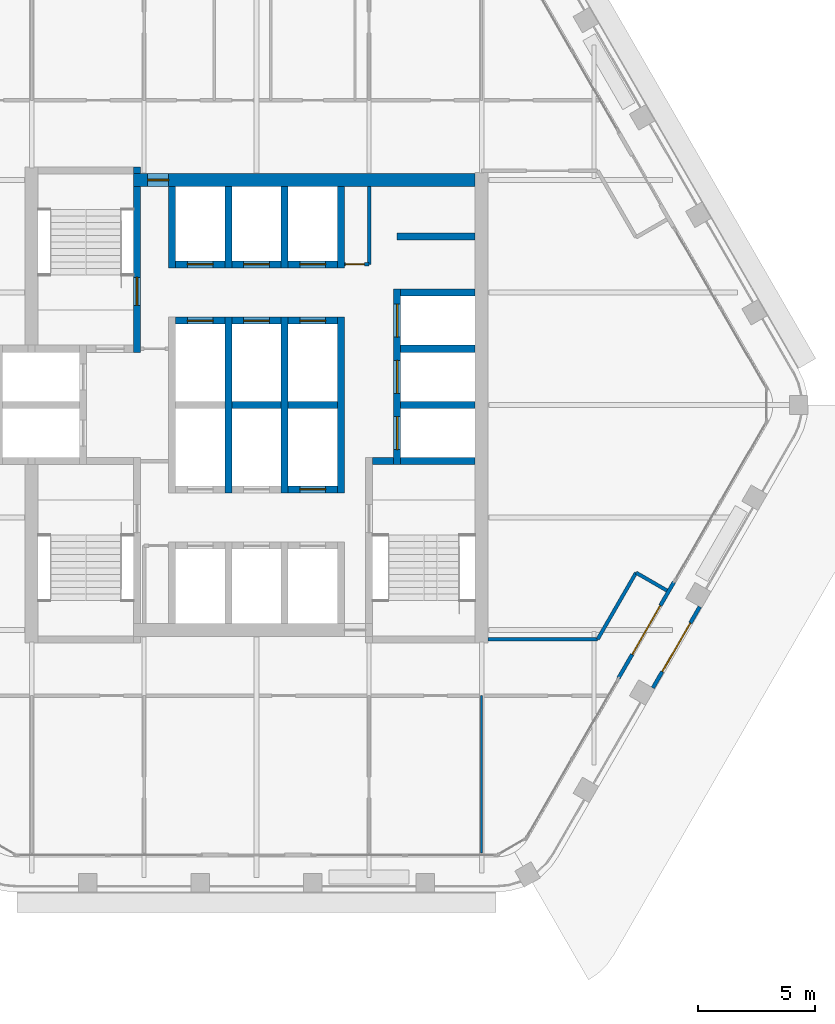
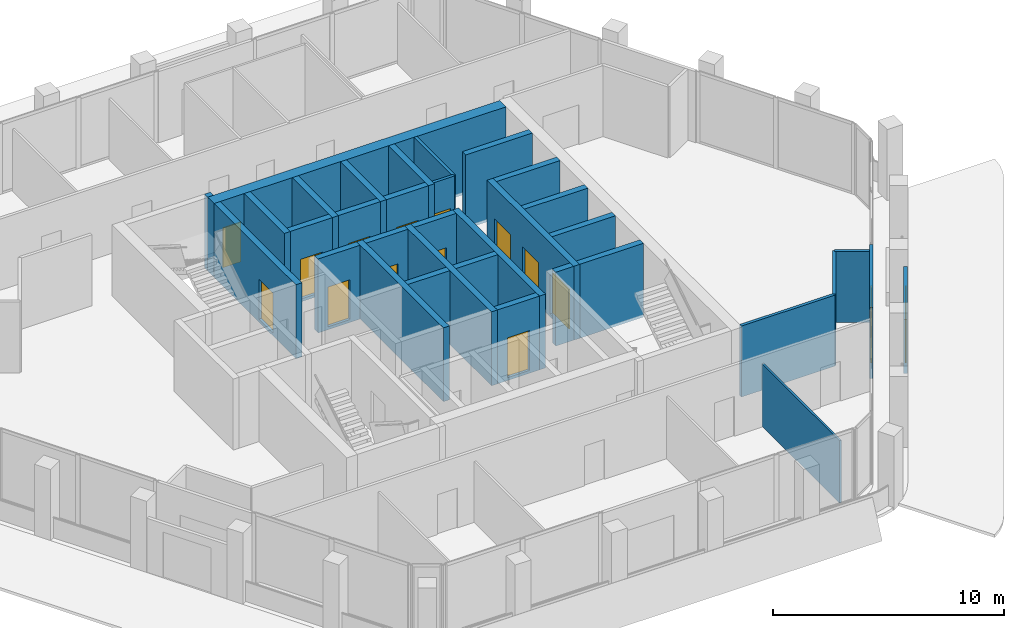
# One storey, part 9 of 14: 34 walls, 15 doors, 15 openings.
"""IFC4 building model written with IfcOpenShell, lengths in metres."""

from ifc_helpers import new_model, si_unit, direction, frame, frame_2d, origin, place, context, subcontext, project, spatial, rectangle, extrude, material, layer, layer_set, type_object, element, fill, save


model = new_model("IFC4")

# Units and contexts
model_context = context("Model", 3, precision=1e-05, world=origin(), true_north=direction((0.0, 1.0)))
body_context = subcontext(model_context, "Body", "Model", "MODEL_VIEW")
ifc_project = project(units=[si_unit("LENGTHUNIT", "METRE"), si_unit("AREAUNIT", "SQUARE_METRE"), si_unit("VOLUMEUNIT", "CUBIC_METRE"), si_unit("PLANEANGLEUNIT", "RADIAN"), si_unit("MASSUNIT", "GRAM", prefix="KILO")], contexts=[model_context])

# Site, building, storey
site_placement = place(None, origin())
site = spatial("IfcSite", under=ifc_project, at=site_placement, CompositionType="ELEMENT")
building_placement = place(site_placement, origin())
building = spatial("IfcBuilding", under=site, at=building_placement, Name="Kolab Exchange Tower", CompositionType="ELEMENT")
storey_placement = place(building_placement, frame((0.0, 0.0, 222.800048828125)))
storey = spatial("IfcBuildingStorey", under=building, at=storey_placement, Name="L48", CompositionType="ELEMENT", Elevation=222.800048828125)

# Wall, opening, door
ifc_material_1 = material(Name="Concrete C50/60", Category="concrete")
ifc_layer_1 = layer(ifc_material_1, 0.550048828125)
ifc_layer_set_1 = layer_set([ifc_layer_1], Name="Concrete C50/60")
wall_type_1 = type_object("IfcWallType", Name="CORE WALL 550 C50/60", PredefinedType="SHEAR", material=ifc_layer_set_1)
wall_1_placement = place(storey_placement, frame((-5.25, 9.60009765625, -0.150146484375), z_axis=(0.0, 0.0, 1.0), x_axis=(1.0, 0.0, 0.0)))
wall_1 = element("IfcWall", 1, at=wall_1_placement, inside=storey, type_object=wall_type_1, Name="wall/L48/core/031", PredefinedType="SHEAR", context=body_context, shape_type="SweptSolid", body=[
    extrude(rectangle(XDim=14.574951171875, YDim=0.550048828125, at=frame_2d((7.28759765625, 0.0))), origin(), (0.0, 0.0, 1.0), 3.900146484375),
])
opening_1_placement = place(wall_1_placement, frame((0.60009765625, 0.0, 0.14990234375)))
opening_1 = element("IfcOpeningElement", 2, at=opening_1_placement, cuts=wall_1, Name="Opening D6-295", PredefinedType="OPENING", context=body_context, shape_type="SweptSolid", body=[
    extrude(rectangle(XDim=0.89990234375, YDim=2.10009765625, at=frame_2d((0.449951171875, 1.050048828125))), frame((0.0, 0.28515625, 0.0), z_axis=(0.0, -1.0, 0.0), x_axis=(1.0, 0.0, 0.0)), (0.0, 0.0, 1.0), 0.570068359375),
])
ifc_material_2 = material(Name="Steel S235", Category="steel")
door_type_1 = type_object("IfcDoorType", Name="CORE DOOR 900 EI 120", OperationType="SINGLE_SWING_LEFT", PredefinedType="DOOR", material=ifc_material_2)
door_1_placement = place(opening_1_placement, frame((0.89990234375, 0.0, 0.0), z_axis=(0.0, 0.0, 1.0), x_axis=(-1.0, 0.0, 0.0)))
door_1 = element("IfcDoor", 3, at=door_1_placement, inside=storey, type_object=door_type_1, Name="Core lobby door", OperationType="SINGLE_SWING_RIGHT", OverallHeight=2.10009765625, OverallWidth=0.89990234375, PredefinedType="DOOR", context=body_context, shape_type="SweptSolid", body=[
    extrude(rectangle(XDim=0.89990234375, YDim=2.10009765625, at=frame_2d((0.449951171875, 1.050048828125))), frame((0.0, 0.02490234375, 0.0), z_axis=(0.0, -1.0, 0.0), x_axis=(1.0, 0.0, 0.0)), (0.0, 0.0, 1.0), 0.050048828125),
])
fill(opening_1, door_1)

ifc_material_3 = material(Name="Aluminium EN AW-6063 T6", Category="aluminium")
ifc_layer_2 = layer(ifc_material_3, 0.159912109375)
ifc_layer_set_2 = layer_set([ifc_layer_2], Name="Aluminium EN AW-6063 T6")
wall_type_2 = type_object("IfcWallType", Name="DOOR SURROUND WALL 160 ALUMINIUM FRAMED", PredefinedType="PARTITIONING", material=ifc_layer_set_2)
wall_2_placement = place(storey_placement, frame((17.816650390625, -7.5498046875, 0.0), z_axis=(0.0, 0.0, 1.0), x_axis=(-0.499978080042, -0.866038058908, 0.0)))
wall_2 = element("IfcWall", 4, at=wall_2_placement, inside=storey, type_object=wall_type_2, Name="Door surround wall", PredefinedType="PARTITIONING", context=body_context, shape_type="SweptSolid", body=[
    extrude(rectangle(XDim=4.739990234375, YDim=0.159912109375, at=frame_2d((2.3701171875, 0.0))), origin(), (0.0, 0.0, 1.0), 3.75),
])
opening_2_placement = place(wall_2_placement, frame((1.169921875, 0.0, 0.0)))
opening_2 = element("IfcOpeningElement", 5, at=opening_2_placement, cuts=wall_2, Name="Opening GD1-091", PredefinedType="OPENING", context=body_context, shape_type="SweptSolid", body=[
    extrude(rectangle(XDim=2.39990234375, YDim=2.39990234375, at=frame_2d((1.199951171875, 1.199951171875))), frame((0.0, 0.08984375, 0.0), z_axis=(0.0, -1.0, 0.0), x_axis=(1.0, 0.0, 0.0)), (0.0, 0.0, 1.0), 0.179931640625),
])
door_type_2 = type_object("IfcDoorType", Name="LOGGIA SLIDING GLASS DOOR 2400 X 2400", OperationType="DOUBLE_DOOR_SINGLE_SWING", PredefinedType="DOOR", material=ifc_material_3)
door_2_placement = place(opening_2_placement, origin())
door_2 = element("IfcDoor", 6, at=door_2_placement, inside=storey, type_object=door_type_2, Name="Loggia door", OperationType="DOUBLE_DOOR_SLIDING", OverallHeight=2.39990234375, OverallWidth=2.39990234375, PredefinedType="DOOR", context=body_context, shape_type="SweptSolid", body=[
    extrude(rectangle(XDim=2.39990234375, YDim=2.39990234375, at=frame_2d((1.199951171875, 1.199951171875))), frame((0.0, 0.02490234375, 0.0), z_axis=(0.0, -1.0, 0.0), x_axis=(1.0, 0.0, 0.0)), (0.0, 0.0, 1.0), 0.050048828125),
])
fill(opening_2, door_2)

wall_3_placement = place(storey_placement, frame((18.912353515625, -8.612060546875, 0.0), z_axis=(0.0, 0.0, 1.0), x_axis=(-0.500029202507, -0.866008543052, 0.0)))
wall_3 = element("IfcWall", 7, at=wall_3_placement, inside=storey, type_object=wall_type_2, Name="Door surround wall", PredefinedType="PARTITIONING", context=body_context, shape_type="SweptSolid", body=[
    extrude(rectangle(XDim=3.995849609375, YDim=0.159912109375, at=frame_2d((1.998046875, 0.0))), origin(), (0.0, 0.0, 1.0), 2.849853515625),
])
opening_3_placement = place(wall_3_placement, frame((0.798095703125, 0.0, 0.0)))
opening_3 = element("IfcOpeningElement", 8, at=opening_3_placement, cuts=wall_3, Name="Opening GD1-096", PredefinedType="OPENING", context=body_context, shape_type="SweptSolid", body=[
    extrude(rectangle(XDim=2.39990234375, YDim=2.39990234375, at=frame_2d((1.199951171875, 1.199951171875))), frame((0.0, 0.08984375, 0.0), z_axis=(0.0, -1.0, 0.0), x_axis=(1.0, 0.0, 0.0)), (0.0, 0.0, 1.0), 0.179931640625),
])
door_3_placement = place(opening_3_placement, origin())
door_3 = element("IfcDoor", 9, at=door_3_placement, inside=storey, type_object=door_type_2, Name="Terrace door", OperationType="DOUBLE_DOOR_SLIDING", OverallHeight=2.39990234375, OverallWidth=2.39990234375, PredefinedType="DOOR", context=body_context, shape_type="SweptSolid", body=[
    extrude(rectangle(XDim=2.39990234375, YDim=2.39990234375, at=frame_2d((1.199951171875, 1.199951171875))), frame((0.0, 0.02490234375, 0.0), z_axis=(0.0, -1.0, 0.0), x_axis=(1.0, 0.0, 0.0)), (0.0, 0.0, 1.0), 0.050048828125),
])
fill(opening_3, door_3)

ifc_layer_3 = layer(ifc_material_1, 0.300048828125)
ifc_layer_set_3 = layer_set([ifc_layer_3], Name="Concrete C50/60")
wall_type_3 = type_object("IfcWallType", Name="LIFT SHAFT WALL 300 C50/60", PredefinedType="STANDARD", material=ifc_layer_set_3)
wall_4_placement = place(storey_placement, frame((1.35009765625, -3.60009765625, -0.150146484375), z_axis=(0.0, 0.0, 1.0), x_axis=(1.0, 0.0, 0.0)))
wall_4 = element("IfcWall", 10, at=wall_4_placement, inside=storey, type_object=wall_type_3, Name="wall/L48/core/008", PredefinedType="STANDARD", context=body_context, shape_type="SweptSolid", body=[
    extrude(rectangle(XDim=2.099853515625, YDim=0.300048828125, at=frame_2d((1.0498046875, 0.0))), origin(), (0.0, 0.0, 1.0), 3.900146484375),
])
opening_4_placement = place(wall_4_placement, frame((0.5, 0.0, 0.14990234375)))
opening_4 = element("IfcOpeningElement", 11, at=opening_4_placement, cuts=wall_4, Name="Opening LD1-120", PredefinedType="OPENING", context=body_context, shape_type="SweptSolid", body=[
    extrude(rectangle(XDim=1.10009765625, YDim=2.10009765625, at=frame_2d((0.550048828125, 1.050048828125))), frame((0.0, 0.16015625, 0.0), z_axis=(0.0, -1.0, 0.0), x_axis=(1.0, 0.0, 0.0)), (0.0, 0.0, 1.0), 0.320068359375),
])
ifc_material_4 = material(Name="Stainless steel 316", Category="steel")
door_type_3 = type_object("IfcDoorType", Name="LANDING DOOR 1100 PASSENGER", OperationType="DOUBLE_DOOR_SLIDING", PredefinedType="DOOR", material=ifc_material_4)
door_4_placement = place(opening_4_placement, origin())
door_4 = element("IfcDoor", 12, at=door_4_placement, inside=storey, type_object=door_type_3, Name="Landing door HR9", OperationType="DOUBLE_DOOR_SLIDING", OverallHeight=2.10009765625, OverallWidth=1.10009765625, PredefinedType="DOOR", context=body_context, shape_type="SweptSolid", body=[
    extrude(rectangle(XDim=1.10009765625, YDim=2.10009765625, at=frame_2d((0.550048828125, 1.050048828125))), frame((0.0, 0.02490234375, 0.0), z_axis=(0.0, -1.0, 0.0), x_axis=(1.0, 0.0, 0.0)), (0.0, 0.0, 1.0), 0.050048828125),
])
fill(opening_4, door_4)

# Walls
wall_5_placement = place(storey_placement, frame((-1.050048828125, 0.0, -0.150146484375), z_axis=(0.0, 0.0, 1.0), x_axis=(1.0, 0.0, 0.0)))
element("IfcWall", 13, at=wall_5_placement, inside=storey, type_object=wall_type_3, Name="wall/L48/core/016", PredefinedType="STANDARD", context=body_context, shape_type="SweptSolid", body=[
    extrude(rectangle(XDim=2.10009765625, YDim=0.300048828125, at=frame_2d((1.050048828125, 0.0))), origin(), (0.0, 0.0, 1.0), 3.900146484375),
])
wall_6_placement = place(storey_placement, frame((1.35009765625, 0.0, -0.150146484375), z_axis=(0.0, 0.0, 1.0), x_axis=(1.0, 0.0, 0.0)))
element("IfcWall", 14, at=wall_6_placement, inside=storey, type_object=wall_type_3, Name="wall/L48/core/017", PredefinedType="STANDARD", context=body_context, shape_type="SweptSolid", body=[
    extrude(rectangle(XDim=2.099853515625, YDim=0.300048828125, at=frame_2d((1.0498046875, 0.0))), origin(), (0.0, 0.0, 1.0), 3.900146484375),
])
for number, where, z_axis, x_axis, name in (
    (15, (6.14990234375, 0.0, -0.150146484375), (0.0, 0.0, 1.0), (1.0, 0.0, 0.0), "wall/L48/core/018"),
    (16, (6.14990234375, 2.39990234375, -0.150146484375), (0.0, 0.0, 1.0), (1.0, 0.0, 0.0), "wall/L48/core/022"),
):
    element("IfcWall", number, at=place(storey_placement, frame(where, z_axis=z_axis, x_axis=x_axis)), inside=storey, type_object=wall_type_3, Name=name, PredefinedType="STANDARD", context=body_context, shape_type="SweptSolid", body=[
        extrude(rectangle(XDim=3.175048828125, YDim=0.300048828125, at=frame_2d((1.58740234375, 0.0))), origin(), (0.0, 0.0, 1.0), 3.900146484375),
    ])

# Wall, opening, door
wall_7_placement = place(storey_placement, frame((-3.449951171875, 3.60009765625, -0.150146484375), z_axis=(0.0, 0.0, 1.0), x_axis=(1.0, 0.0, 0.0)))
wall_7 = element("IfcWall", 17, at=wall_7_placement, inside=storey, type_object=wall_type_3, Name="wall/L48/core/023", PredefinedType="STANDARD", context=body_context, shape_type="SweptSolid", body=[
    extrude(rectangle(XDim=2.099853515625, YDim=0.300048828125, at=frame_2d((1.0498046875, 0.0))), origin(), (0.0, 0.0, 1.0), 3.900146484375),
])
opening_5_placement = place(wall_7_placement, frame((0.5, 0.0, 0.14990234375)))
opening_5 = element("IfcOpeningElement", 18, at=opening_5_placement, cuts=wall_7, Name="Opening LD1-115", PredefinedType="OPENING", context=body_context, shape_type="SweptSolid", body=[
    extrude(rectangle(XDim=1.10009765625, YDim=2.10009765625, at=frame_2d((0.550048828125, 1.050048828125))), frame((0.0, 0.16015625, 0.0), z_axis=(0.0, -1.0, 0.0), x_axis=(1.0, 0.0, 0.0)), (0.0, 0.0, 1.0), 0.320068359375),
])
door_5_placement = place(opening_5_placement, origin())
door_5 = element("IfcDoor", 19, at=door_5_placement, inside=storey, type_object=door_type_3, Name="Landing door HR4", OperationType="DOUBLE_DOOR_SLIDING", OverallHeight=2.10009765625, OverallWidth=1.10009765625, PredefinedType="DOOR", context=body_context, shape_type="SweptSolid", body=[
    extrude(rectangle(XDim=1.10009765625, YDim=2.10009765625, at=frame_2d((0.550048828125, 1.050048828125))), frame((0.0, 0.02490234375, 0.0), z_axis=(0.0, -1.0, 0.0), x_axis=(1.0, 0.0, 0.0)), (0.0, 0.0, 1.0), 0.050048828125),
])
fill(opening_5, door_5)

wall_8_placement = place(storey_placement, frame((-1.050048828125, 3.60009765625, -0.150146484375), z_axis=(0.0, 0.0, 1.0), x_axis=(1.0, 0.0, 0.0)))
wall_8 = element("IfcWall", 20, at=wall_8_placement, inside=storey, type_object=wall_type_3, Name="wall/L48/core/024", PredefinedType="STANDARD", context=body_context, shape_type="SweptSolid", body=[
    extrude(rectangle(XDim=2.10009765625, YDim=0.300048828125, at=frame_2d((1.050048828125, 0.0))), origin(), (0.0, 0.0, 1.0), 3.900146484375),
])
opening_6_placement = place(wall_8_placement, frame((0.5, 0.0, 0.14990234375)))
opening_6 = element("IfcOpeningElement", 21, at=opening_6_placement, cuts=wall_8, Name="Opening LD1-116", PredefinedType="OPENING", context=body_context, shape_type="SweptSolid", body=[
    extrude(rectangle(XDim=1.10009765625, YDim=2.10009765625, at=frame_2d((0.550048828125, 1.050048828125))), frame((0.0, 0.16015625, 0.0), z_axis=(0.0, -1.0, 0.0), x_axis=(1.0, 0.0, 0.0)), (0.0, 0.0, 1.0), 0.320068359375),
])
door_6_placement = place(opening_6_placement, origin())
door_6 = element("IfcDoor", 22, at=door_6_placement, inside=storey, type_object=door_type_3, Name="Landing door HR5", OperationType="DOUBLE_DOOR_SLIDING", OverallHeight=2.10009765625, OverallWidth=1.10009765625, PredefinedType="DOOR", context=body_context, shape_type="SweptSolid", body=[
    extrude(rectangle(XDim=1.10009765625, YDim=2.10009765625, at=frame_2d((0.550048828125, 1.050048828125))), frame((0.0, 0.02490234375, 0.0), z_axis=(0.0, -1.0, 0.0), x_axis=(1.0, 0.0, 0.0)), (0.0, 0.0, 1.0), 0.050048828125),
])
fill(opening_6, door_6)

wall_9_placement = place(storey_placement, frame((1.35009765625, 3.60009765625, -0.150146484375), z_axis=(0.0, 0.0, 1.0), x_axis=(1.0, 0.0, 0.0)))
wall_9 = element("IfcWall", 23, at=wall_9_placement, inside=storey, type_object=wall_type_3, Name="wall/L48/core/025", PredefinedType="STANDARD", context=body_context, shape_type="SweptSolid", body=[
    extrude(rectangle(XDim=2.099853515625, YDim=0.300048828125, at=frame_2d((1.0498046875, 0.0))), origin(), (0.0, 0.0, 1.0), 3.900146484375),
])
opening_7_placement = place(wall_9_placement, frame((0.5, 0.0, 0.14990234375)))
opening_7 = element("IfcOpeningElement", 24, at=opening_7_placement, cuts=wall_9, Name="Opening LD1-117", PredefinedType="OPENING", context=body_context, shape_type="SweptSolid", body=[
    extrude(rectangle(XDim=1.10009765625, YDim=2.10009765625, at=frame_2d((0.550048828125, 1.050048828125))), frame((0.0, 0.16015625, 0.0), z_axis=(0.0, -1.0, 0.0), x_axis=(1.0, 0.0, 0.0)), (0.0, 0.0, 1.0), 0.320068359375),
])
door_7_placement = place(opening_7_placement, origin())
door_7 = element("IfcDoor", 25, at=door_7_placement, inside=storey, type_object=door_type_3, Name="Landing door HR6", OperationType="DOUBLE_DOOR_SLIDING", OverallHeight=2.10009765625, OverallWidth=1.10009765625, PredefinedType="DOOR", context=body_context, shape_type="SweptSolid", body=[
    extrude(rectangle(XDim=1.10009765625, YDim=2.10009765625, at=frame_2d((0.550048828125, 1.050048828125))), frame((0.0, 0.02490234375, 0.0), z_axis=(0.0, -1.0, 0.0), x_axis=(1.0, 0.0, 0.0)), (0.0, 0.0, 1.0), 0.050048828125),
])
fill(opening_7, door_7)

# Wall
wall_10_placement = place(storey_placement, frame((6.14990234375, 4.800048828125, -0.150146484375), z_axis=(0.0, 0.0, 1.0), x_axis=(1.0, 0.0, 0.0)))
element("IfcWall", 26, at=wall_10_placement, inside=storey, type_object=wall_type_3, Name="wall/L48/core/026", PredefinedType="STANDARD", context=body_context, shape_type="SweptSolid", body=[
    extrude(rectangle(XDim=3.175048828125, YDim=0.300048828125, at=frame_2d((1.58740234375, 0.0))), origin(), (0.0, 0.0, 1.0), 3.900146484375),
])

# Wall, opening, door
wall_11_placement = place(storey_placement, frame((-3.449951171875, 6.0, -0.150146484375), z_axis=(0.0, 0.0, 1.0), x_axis=(1.0, 0.0, 0.0)))
wall_11 = element("IfcWall", 27, at=wall_11_placement, inside=storey, type_object=wall_type_3, Name="wall/L48/core/027", PredefinedType="STANDARD", context=body_context, shape_type="SweptSolid", body=[
    extrude(rectangle(XDim=2.099853515625, YDim=0.300048828125, at=frame_2d((1.0498046875, 0.0))), origin(), (0.0, 0.0, 1.0), 3.900146484375),
])
opening_8_placement = place(wall_11_placement, frame((0.5, 0.0, 0.14990234375)))
opening_8 = element("IfcOpeningElement", 28, at=opening_8_placement, cuts=wall_11, Name="Opening LD1-109", PredefinedType="OPENING", context=body_context, shape_type="SweptSolid", body=[
    extrude(rectangle(XDim=1.10009765625, YDim=2.10009765625, at=frame_2d((0.550048828125, 1.050048828125))), frame((0.0, 0.16015625, 0.0), z_axis=(0.0, -1.0, 0.0), x_axis=(1.0, 0.0, 0.0)), (0.0, 0.0, 1.0), 0.320068359375),
])
door_8_placement = place(opening_8_placement, origin())
door_8 = element("IfcDoor", 29, at=door_8_placement, inside=storey, type_object=door_type_3, Name="Landing door HR1", OperationType="DOUBLE_DOOR_SLIDING", OverallHeight=2.10009765625, OverallWidth=1.10009765625, PredefinedType="DOOR", context=body_context, shape_type="SweptSolid", body=[
    extrude(rectangle(XDim=1.10009765625, YDim=2.10009765625, at=frame_2d((0.550048828125, 1.050048828125))), frame((0.0, 0.02490234375, 0.0), z_axis=(0.0, -1.0, 0.0), x_axis=(1.0, 0.0, 0.0)), (0.0, 0.0, 1.0), 0.050048828125),
])
fill(opening_8, door_8)

wall_12_placement = place(storey_placement, frame((-1.050048828125, 6.0, -0.150146484375), z_axis=(0.0, 0.0, 1.0), x_axis=(1.0, 0.0, 0.0)))
wall_12 = element("IfcWall", 30, at=wall_12_placement, inside=storey, type_object=wall_type_3, Name="wall/L48/core/028", PredefinedType="STANDARD", context=body_context, shape_type="SweptSolid", body=[
    extrude(rectangle(XDim=2.10009765625, YDim=0.300048828125, at=frame_2d((1.050048828125, 0.0))), origin(), (0.0, 0.0, 1.0), 3.900146484375),
])
opening_9_placement = place(wall_12_placement, frame((0.5, 0.0, 0.14990234375)))
opening_9 = element("IfcOpeningElement", 31, at=opening_9_placement, cuts=wall_12, Name="Opening LD1-113", PredefinedType="OPENING", context=body_context, shape_type="SweptSolid", body=[
    extrude(rectangle(XDim=1.10009765625, YDim=2.10009765625, at=frame_2d((0.550048828125, 1.050048828125))), frame((0.0, 0.16015625, 0.0), z_axis=(0.0, -1.0, 0.0), x_axis=(1.0, 0.0, 0.0)), (0.0, 0.0, 1.0), 0.320068359375),
])
door_9_placement = place(opening_9_placement, origin())
door_9 = element("IfcDoor", 32, at=door_9_placement, inside=storey, type_object=door_type_3, Name="Landing door HR2", OperationType="DOUBLE_DOOR_SLIDING", OverallHeight=2.10009765625, OverallWidth=1.10009765625, PredefinedType="DOOR", context=body_context, shape_type="SweptSolid", body=[
    extrude(rectangle(XDim=1.10009765625, YDim=2.10009765625, at=frame_2d((0.550048828125, 1.050048828125))), frame((0.0, 0.02490234375, 0.0), z_axis=(0.0, -1.0, 0.0), x_axis=(1.0, 0.0, 0.0)), (0.0, 0.0, 1.0), 0.050048828125),
])
fill(opening_9, door_9)

wall_13_placement = place(storey_placement, frame((1.35009765625, 6.0, -0.150146484375), z_axis=(0.0, 0.0, 1.0), x_axis=(1.0, 0.0, 0.0)))
wall_13 = element("IfcWall", 33, at=wall_13_placement, inside=storey, type_object=wall_type_3, Name="wall/L48/core/029", PredefinedType="STANDARD", context=body_context, shape_type="SweptSolid", body=[
    extrude(rectangle(XDim=2.099853515625, YDim=0.300048828125, at=frame_2d((1.0498046875, 0.0))), origin(), (0.0, 0.0, 1.0), 3.900146484375),
])
opening_10_placement = place(wall_13_placement, frame((0.5, 0.0, 0.14990234375)))
opening_10 = element("IfcOpeningElement", 34, at=opening_10_placement, cuts=wall_13, Name="Opening LD1-114", PredefinedType="OPENING", context=body_context, shape_type="SweptSolid", body=[
    extrude(rectangle(XDim=1.10009765625, YDim=2.10009765625, at=frame_2d((0.550048828125, 1.050048828125))), frame((0.0, 0.16015625, 0.0), z_axis=(0.0, -1.0, 0.0), x_axis=(1.0, 0.0, 0.0)), (0.0, 0.0, 1.0), 0.320068359375),
])
door_10_placement = place(opening_10_placement, origin())
door_10 = element("IfcDoor", 35, at=door_10_placement, inside=storey, type_object=door_type_3, Name="Landing door HR3", OperationType="DOUBLE_DOOR_SLIDING", OverallHeight=2.10009765625, OverallWidth=1.10009765625, PredefinedType="DOOR", context=body_context, shape_type="SweptSolid", body=[
    extrude(rectangle(XDim=1.10009765625, YDim=2.10009765625, at=frame_2d((0.550048828125, 1.050048828125))), frame((0.0, 0.02490234375, 0.0), z_axis=(0.0, -1.0, 0.0), x_axis=(1.0, 0.0, 0.0)), (0.0, 0.0, 1.0), 0.050048828125),
])
fill(opening_10, door_10)

# Walls
wall_14_placement = place(storey_placement, frame((6.0, 7.199951171875, -0.150146484375), z_axis=(0.0, 0.0, 1.0), x_axis=(1.0, 0.0, 0.0)))
element("IfcWall", 36, at=wall_14_placement, inside=storey, type_object=wall_type_3, Name="wall/L48/core/030", PredefinedType="STANDARD", context=body_context, shape_type="SweptSolid", body=[
    extrude(rectangle(XDim=3.324951171875, YDim=0.300048828125, at=frame_2d((1.66259765625, 0.0))), origin(), (0.0, 0.0, 1.0), 3.900146484375),
])
wall_15_placement = place(storey_placement, frame((-3.60009765625, 5.85009765625, -0.150146484375), z_axis=(0.0, 0.0, 1.0), x_axis=(0.0, 1.0, 0.0)))
element("IfcWall", 37, at=wall_15_placement, inside=storey, type_object=wall_type_3, Name="wall/L48/core/045", PredefinedType="STANDARD", context=body_context, shape_type="SweptSolid", body=[
    extrude(rectangle(XDim=3.474853515625, YDim=0.300048828125, at=frame_2d((1.7373046875, 0.0))), origin(), (0.0, 0.0, 1.0), 3.900146484375),
])
wall_16_placement = place(storey_placement, frame((-1.199951171875, -3.75, -0.150146484375), z_axis=(0.0, 0.0, 1.0), x_axis=(0.0, 1.0, 0.0)))
element("IfcWall", 38, at=wall_16_placement, inside=storey, type_object=wall_type_3, Name="wall/L48/core/047", PredefinedType="STANDARD", context=body_context, shape_type="SweptSolid", body=[
    extrude(rectangle(XDim=7.5, YDim=0.300048828125, at=frame_2d((3.75, 0.0))), origin(), (0.0, 0.0, 1.0), 3.900146484375),
])
wall_17_placement = place(storey_placement, frame((-1.199951171875, 5.85009765625, -0.150146484375), z_axis=(0.0, 0.0, 1.0), x_axis=(0.0, 1.0, 0.0)))
element("IfcWall", 39, at=wall_17_placement, inside=storey, type_object=wall_type_3, Name="wall/L48/core/048", PredefinedType="STANDARD", context=body_context, shape_type="SweptSolid", body=[
    extrude(rectangle(XDim=3.474853515625, YDim=0.300048828125, at=frame_2d((1.7373046875, 0.0))), origin(), (0.0, 0.0, 1.0), 3.900146484375),
])
wall_18_placement = place(storey_placement, frame((1.199951171875, -3.75, -0.150146484375), z_axis=(0.0, 0.0, 1.0), x_axis=(0.0, 1.0, 0.0)))
element("IfcWall", 40, at=wall_18_placement, inside=storey, type_object=wall_type_3, Name="wall/L48/core/050", PredefinedType="STANDARD", context=body_context, shape_type="SweptSolid", body=[
    extrude(rectangle(XDim=7.5, YDim=0.300048828125, at=frame_2d((3.75, 0.0))), origin(), (0.0, 0.0, 1.0), 3.900146484375),
])
wall_19_placement = place(storey_placement, frame((1.199951171875, 5.85009765625, -0.150146484375), z_axis=(0.0, 0.0, 1.0), x_axis=(0.0, 1.0, 0.0)))
element("IfcWall", 41, at=wall_19_placement, inside=storey, type_object=wall_type_3, Name="wall/L48/core/051", PredefinedType="STANDARD", context=body_context, shape_type="SweptSolid", body=[
    extrude(rectangle(XDim=3.474853515625, YDim=0.300048828125, at=frame_2d((1.7373046875, 0.0))), origin(), (0.0, 0.0, 1.0), 3.900146484375),
])
wall_20_placement = place(storey_placement, frame((3.60009765625, -3.75, -0.150146484375), z_axis=(0.0, 0.0, 1.0), x_axis=(0.0, 1.0, 0.0)))
element("IfcWall", 42, at=wall_20_placement, inside=storey, type_object=wall_type_3, Name="wall/L48/core/053", PredefinedType="STANDARD", context=body_context, shape_type="SweptSolid", body=[
    extrude(rectangle(XDim=7.5, YDim=0.300048828125, at=frame_2d((3.75, 0.0))), origin(), (0.0, 0.0, 1.0), 3.900146484375),
])
wall_21_placement = place(storey_placement, frame((3.60009765625, 5.85009765625, -0.150146484375), z_axis=(0.0, 0.0, 1.0), x_axis=(0.0, 1.0, 0.0)))
element("IfcWall", 43, at=wall_21_placement, inside=storey, type_object=wall_type_3, Name="wall/L48/core/054", PredefinedType="STANDARD", context=body_context, shape_type="SweptSolid", body=[
    extrude(rectangle(XDim=3.474853515625, YDim=0.300048828125, at=frame_2d((1.7373046875, 0.0))), origin(), (0.0, 0.0, 1.0), 3.900146484375),
])

# Wall, openings, doors
wall_22_placement = place(storey_placement, frame((6.0, -2.550048828125, -0.150146484375), z_axis=(0.0, 0.0, 1.0), x_axis=(0.0, 1.0, 0.0)))
wall_22 = element("IfcWall", 44, at=wall_22_placement, inside=storey, type_object=wall_type_3, Name="wall/L48/core/057", PredefinedType="STANDARD", context=body_context, shape_type="SweptSolid", body=[
    extrude(rectangle(XDim=7.5, YDim=0.300048828125, at=frame_2d((3.75, 0.0))), origin(), (0.0, 0.0, 1.0), 3.900146484375),
])
opening_11_placement = place(wall_22_placement, frame((0.64990234375, 0.0, 0.14990234375)))
opening_11 = element("IfcOpeningElement", 45, at=opening_11_placement, cuts=wall_22, Name="Opening LD3-037", PredefinedType="OPENING", context=body_context, shape_type="SweptSolid", body=[
    extrude(rectangle(XDim=1.39990234375, YDim=2.10009765625, at=frame_2d((0.699951171875, 1.050048828125))), frame((0.0, 0.16015625, 0.0), z_axis=(0.0, -1.0, 0.0), x_axis=(1.0, 0.0, 0.0)), (0.0, 0.0, 1.0), 0.320068359375),
])
opening_12_placement = place(wall_22_placement, frame((3.050048828125, 0.0, 0.14990234375)))
opening_12 = element("IfcOpeningElement", 46, at=opening_12_placement, cuts=wall_22, Name="Opening LD3-038", PredefinedType="OPENING", context=body_context, shape_type="SweptSolid", body=[
    extrude(rectangle(XDim=1.39990234375, YDim=2.10009765625, at=frame_2d((0.699951171875, 1.050048828125))), frame((0.0, 0.16015625, 0.0), z_axis=(0.0, -1.0, 0.0), x_axis=(1.0, 0.0, 0.0)), (0.0, 0.0, 1.0), 0.320068359375),
])
opening_13_placement = place(wall_22_placement, frame((5.449951171875, 0.0, 0.14990234375)))
opening_13 = element("IfcOpeningElement", 47, at=opening_13_placement, cuts=wall_22, Name="Opening LD3-039", PredefinedType="OPENING", context=body_context, shape_type="SweptSolid", body=[
    extrude(rectangle(XDim=1.39990234375, YDim=2.10009765625, at=frame_2d((0.699951171875, 1.050048828125))), frame((0.0, 0.16015625, 0.0), z_axis=(0.0, -1.0, 0.0), x_axis=(1.0, 0.0, 0.0)), (0.0, 0.0, 1.0), 0.320068359375),
])
door_type_4 = type_object("IfcDoorType", Name="LANDING DOOR 1400 SERVICE", OperationType="DOUBLE_DOOR_SLIDING", PredefinedType="DOOR", material=ifc_material_4)
door_11_placement = place(opening_11_placement, origin())
door_11 = element("IfcDoor", 48, at=door_11_placement, inside=storey, type_object=door_type_4, Name="Landing door SV1", OperationType="DOUBLE_DOOR_SLIDING", OverallHeight=2.10009765625, OverallWidth=1.39990234375, PredefinedType="DOOR", context=body_context, shape_type="SweptSolid", body=[
    extrude(rectangle(XDim=1.39990234375, YDim=2.10009765625, at=frame_2d((0.699951171875, 1.050048828125))), frame((0.0, 0.02490234375, 0.0), z_axis=(0.0, -1.0, 0.0), x_axis=(1.0, 0.0, 0.0)), (0.0, 0.0, 1.0), 0.050048828125),
])
fill(opening_11, door_11)
door_12_placement = place(opening_12_placement, origin())
door_12 = element("IfcDoor", 49, at=door_12_placement, inside=storey, type_object=door_type_4, Name="Landing door SV2", OperationType="DOUBLE_DOOR_SLIDING", OverallHeight=2.10009765625, OverallWidth=1.39990234375, PredefinedType="DOOR", context=body_context, shape_type="SweptSolid", body=[
    extrude(rectangle(XDim=1.39990234375, YDim=2.10009765625, at=frame_2d((0.699951171875, 1.050048828125))), frame((0.0, 0.02490234375, 0.0), z_axis=(0.0, -1.0, 0.0), x_axis=(1.0, 0.0, 0.0)), (0.0, 0.0, 1.0), 0.050048828125),
])
fill(opening_12, door_12)
door_13_placement = place(opening_13_placement, origin())
door_13 = element("IfcDoor", 50, at=door_13_placement, inside=storey, type_object=door_type_4, Name="Landing door SV3", OperationType="DOUBLE_DOOR_SLIDING", OverallHeight=2.10009765625, OverallWidth=1.39990234375, PredefinedType="DOOR", context=body_context, shape_type="SweptSolid", body=[
    extrude(rectangle(XDim=1.39990234375, YDim=2.10009765625, at=frame_2d((0.699951171875, 1.050048828125))), frame((0.0, 0.02490234375, 0.0), z_axis=(0.0, -1.0, 0.0), x_axis=(1.0, 0.0, 0.0)), (0.0, 0.0, 1.0), 0.050048828125),
])
fill(opening_13, door_13)

# Walls
ifc_material_5 = material(Name="Gypsum board", Category="gypsum")
ifc_layer_4 = layer(ifc_material_5, 0.10009765625)
ifc_layer_set_4 = layer_set([ifc_layer_4], Name="Gypsum board")
wall_type_4 = type_object("IfcWallType", Name="PARTITION 100", PredefinedType="PARTITIONING", material=ifc_layer_set_4)
wall_23_placement = place(storey_placement, frame((9.60009765625, -19.114501953125, 0.0), z_axis=(0.0, 0.0, 1.0), x_axis=(0.0, 1.0, 0.0)))
element("IfcWall", 51, at=wall_23_placement, inside=storey, type_object=wall_type_4, Name="Partition 000", PredefinedType="PARTITIONING", context=body_context, shape_type="SweptSolid", body=[
    extrude(rectangle(XDim=6.714599609375, YDim=0.10009765625, at=frame_2d((3.357421875, 0.0))), origin(), (0.0, 0.0, 1.0), 3.29296875),
])
ifc_layer_5 = layer(ifc_material_5, 0.14990234375)
ifc_layer_set_5 = layer_set([ifc_layer_5], Name="Gypsum board")
wall_type_5 = type_object("IfcWallType", Name="PARTITION 150 FIRE-RATED", PredefinedType="PARTITIONING", material=ifc_layer_set_5)
wall_24_placement = place(storey_placement, frame((4.800048828125, 6.0, 0.0), z_axis=(0.0, 0.0, 1.0), x_axis=(0.0, 1.0, 0.0)))
element("IfcWall", 52, at=wall_24_placement, inside=storey, type_object=wall_type_5, Name="Partition 004", PredefinedType="PARTITIONING", context=body_context, shape_type="SweptSolid", body=[
    extrude(rectangle(XDim=3.324951171875, YDim=0.14990234375, at=frame_2d((1.66259765625, 0.0))), origin(), (0.0, 0.0, 1.0), 3.75),
])
wall_25_placement = place(storey_placement, frame((14.5546875, -10.0, 0.0), z_axis=(0.0, 0.0, 1.0), x_axis=(0.499954196102, 0.866051847062, 0.0)))
element("IfcWall", 53, at=wall_25_placement, inside=storey, type_object=wall_type_5, Name="Partition 015", PredefinedType="PARTITIONING", context=body_context, shape_type="SweptSolid", body=[
    extrude(rectangle(XDim=3.282958984375, YDim=0.14990234375, at=frame_2d((1.6416015625, 0.0))), origin(), (0.0, 0.0, 1.0), 3.75),
])
wall_26_placement = place(storey_placement, frame((16.196044921875, -7.15673828125, 0.0), z_axis=(0.0, 0.0, 1.0), x_axis=(0.865960906633, -0.500111695708, 0.0)))
element("IfcWall", 54, at=wall_26_placement, inside=storey, type_object=wall_type_5, Name="Partition 018", PredefinedType="PARTITIONING", context=body_context, shape_type="SweptSolid", body=[
    extrude(rectangle(XDim=1.520263671875, YDim=0.14990234375, at=frame_2d((0.76025390625, 0.0))), origin(), (0.0, 0.0, 1.0), 3.75),
])
wall_27_placement = place(storey_placement, frame((9.875, -10.0, 0.0), z_axis=(0.0, 0.0, 1.0), x_axis=(1.0, 0.0, 0.0)))
element("IfcWall", 55, at=wall_27_placement, inside=storey, type_object=wall_type_5, Name="Partition 023", PredefinedType="PARTITIONING", context=body_context, shape_type="SweptSolid", body=[
    extrude(rectangle(XDim=4.6796875, YDim=0.14990234375, at=frame_2d((2.33984375, 0.0))), origin(), (0.0, 0.0, 1.0), 3.75),
])

# Wall, opening, door
wall_28_placement = place(storey_placement, frame((3.75, 6.0, 0.0), z_axis=(0.0, 0.0, 1.0), x_axis=(1.0, 0.0, 0.0)))
wall_28 = element("IfcWall", 56, at=wall_28_placement, inside=storey, type_object=wall_type_5, Name="Partition 025", PredefinedType="PARTITIONING", context=body_context, shape_type="SweptSolid", body=[
    extrude(rectangle(XDim=1.050048828125, YDim=0.14990234375, at=frame_2d((0.52490234375, 0.0))), origin(), (0.0, 0.0, 1.0), 3.75),
])
opening_14_placement = place(wall_28_placement, frame((0.050048828125, 0.0, 0.0)))
opening_14 = element("IfcOpeningElement", 57, at=opening_14_placement, cuts=wall_28, Name="Opening D7-039", PredefinedType="OPENING", context=body_context, shape_type="SweptSolid", body=[
    extrude(rectangle(XDim=0.800048828125, YDim=2.10009765625, at=frame_2d((0.39990234375, 1.050048828125))), frame((0.0, 0.0849609375, 0.0), z_axis=(0.0, -1.0, 0.0), x_axis=(1.0, 0.0, 0.0)), (0.0, 0.0, 1.0), 0.169921875),
])
door_type_5 = type_object("IfcDoorType", Name="FLUSH DOOR 800 FD60", OperationType="SINGLE_SWING_LEFT", PredefinedType="DOOR", material=ifc_material_2)
door_14_placement = place(opening_14_placement, origin())
door_14 = element("IfcDoor", 58, at=door_14_placement, inside=storey, type_object=door_type_5, Name="Door L48-023", OperationType="SINGLE_SWING_RIGHT", OverallHeight=2.10009765625, OverallWidth=0.800048828125, PredefinedType="DOOR", context=body_context, shape_type="SweptSolid", body=[
    extrude(rectangle(XDim=0.800048828125, YDim=2.10009765625, at=frame_2d((0.39990234375, 1.050048828125))), frame((0.0, 0.02490234375, 0.0), z_axis=(0.0, -1.0, 0.0), x_axis=(1.0, 0.0, 0.0)), (0.0, 0.0, 1.0), 0.050048828125),
])
fill(opening_14, door_14)

# Walls
ifc_layer_6 = layer(ifc_material_1, 0.300048828125)
ifc_layer_set_6 = layer_set([ifc_layer_6], Name="Concrete C50/60")
wall_type_6 = type_object("IfcWallType", Name="STAIR ENCLOSURE WALL 300 C50/60", PredefinedType="STANDARD", material=ifc_layer_set_6)
wall_29_placement = place(storey_placement, frame((4.949951171875, -2.39990234375, -0.150146484375), z_axis=(0.0, 0.0, 1.0), x_axis=(1.0, 0.0, 0.0)))
element("IfcWall", 59, at=wall_29_placement, inside=storey, type_object=wall_type_6, Name="wall/L48/core/012", PredefinedType="STANDARD", context=body_context, shape_type="SweptSolid", body=[
    extrude(rectangle(XDim=0.900146484375, YDim=0.300048828125, at=frame_2d((0.4501953125, 0.0))), origin(), (0.0, 0.0, 1.0), 3.900146484375),
])
wall_30_placement = place(storey_placement, frame((6.14990234375, -2.39990234375, -0.150146484375), z_axis=(0.0, 0.0, 1.0), x_axis=(1.0, 0.0, 0.0)))
element("IfcWall", 60, at=wall_30_placement, inside=storey, type_object=wall_type_6, Name="wall/L48/core/013", PredefinedType="STANDARD", context=body_context, shape_type="SweptSolid", body=[
    extrude(rectangle(XDim=3.175048828125, YDim=0.300048828125, at=frame_2d((1.58740234375, 0.0))), origin(), (0.0, 0.0, 1.0), 3.900146484375),
])

# Wall, opening, door
wall_31_placement = place(storey_placement, frame((-5.10009765625, 2.25, -0.150146484375), z_axis=(0.0, 0.0, 1.0), x_axis=(0.0, 1.0, 0.0)))
wall_31 = element("IfcWall", 61, at=wall_31_placement, inside=storey, type_object=wall_type_6, Name="wall/L48/core/041", PredefinedType="STANDARD", context=body_context, shape_type="SweptSolid", body=[
    extrude(rectangle(XDim=7.074951171875, YDim=0.300048828125, at=frame_2d((3.53759765625, 0.0))), origin(), (0.0, 0.0, 1.0), 3.900146484375),
])
opening_15_placement = place(wall_31_placement, frame((2.0, 0.0, 0.14990234375)))
opening_15 = element("IfcOpeningElement", 62, at=opening_15_placement, cuts=wall_31, Name="Opening D4-076", PredefinedType="OPENING", context=body_context, shape_type="SweptSolid", body=[
    extrude(rectangle(XDim=1.199951171875, YDim=2.10009765625, at=frame_2d((0.60009765625, 1.050048828125))), frame((0.0, 0.16015625, 0.0), z_axis=(0.0, -1.0, 0.0), x_axis=(1.0, 0.0, 0.0)), (0.0, 0.0, 1.0), 0.320068359375),
])
door_type_6 = type_object("IfcDoorType", Name="STAIR DOOR 1200 EI 120", OperationType="SINGLE_SWING_LEFT", PredefinedType="DOOR", material=ifc_material_2)
door_15_placement = place(opening_15_placement, origin())
door_15 = element("IfcDoor", 63, at=door_15_placement, inside=storey, type_object=door_type_6, Name="Stair 1 door", OperationType="SINGLE_SWING_LEFT", OverallHeight=2.10009765625, OverallWidth=1.199951171875, PredefinedType="DOOR", context=body_context, shape_type="SweptSolid", body=[
    extrude(rectangle(XDim=1.199951171875, YDim=2.10009765625, at=frame_2d((0.60009765625, 1.050048828125))), frame((0.0, 0.02490234375, 0.0), z_axis=(0.0, -1.0, 0.0), x_axis=(1.0, 0.0, 0.0)), (0.0, 0.0, 1.0), 0.050048828125),
])
fill(opening_15, door_15)

# Wall
wall_32_placement = place(storey_placement, frame((-5.10009765625, 9.875, -0.150146484375), z_axis=(0.0, 0.0, 1.0), x_axis=(0.0, 1.0, 0.0)))
element("IfcWall", 64, at=wall_32_placement, inside=storey, type_object=wall_type_6, Name="wall/L48/core/042", PredefinedType="STANDARD", context=body_context, shape_type="SweptSolid", body=[
    extrude(rectangle(XDim=0.27490234375, YDim=0.300048828125, at=frame_2d((0.137451171875, 0.0))), origin(), (0.0, 0.0, 1.0), 3.900146484375),
])

save(model, "model.ifc")
